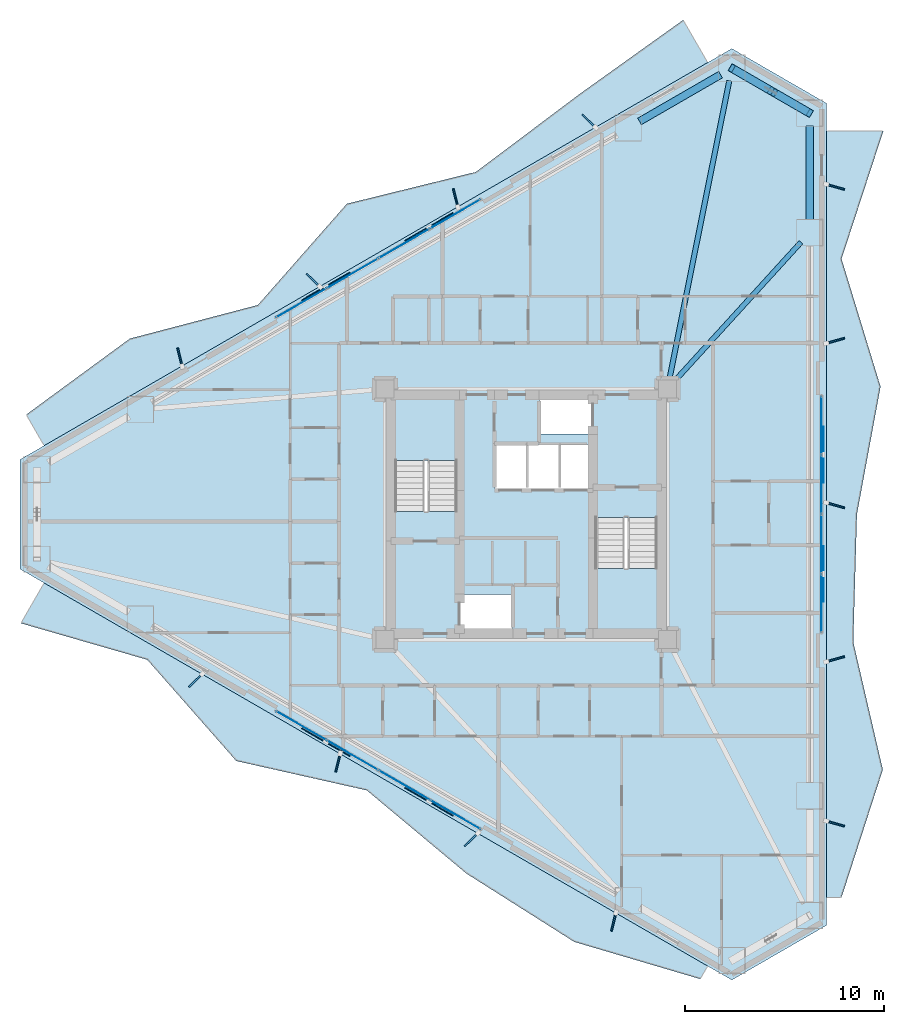
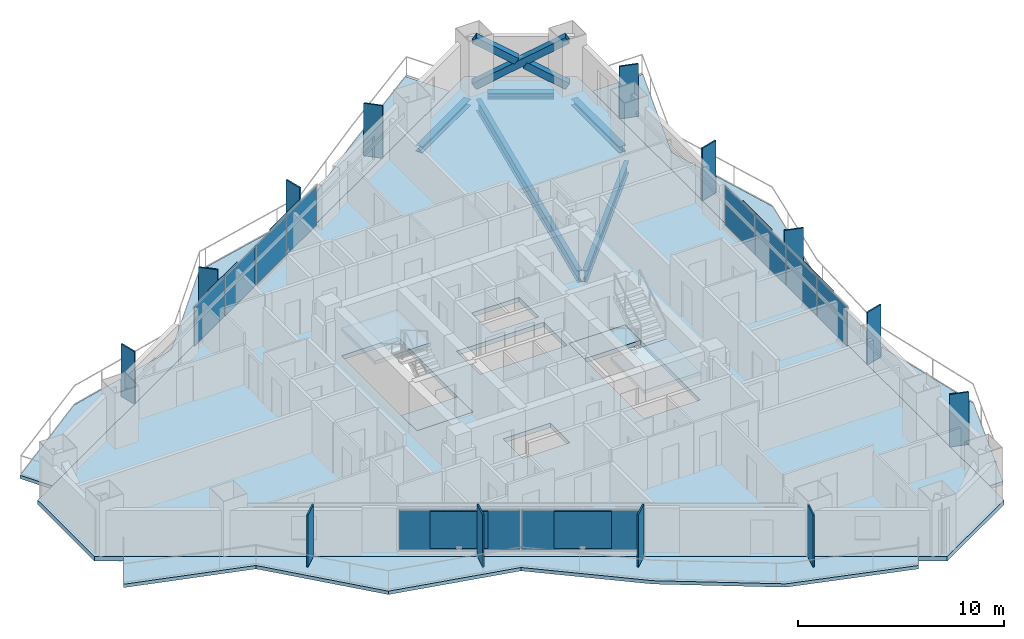
# One storey, part 10 of 18: 31 plates, 8 slabs, 5 beams, 3 members, 5 elements without a shape of their own.
"""IFC4 building model written with IfcOpenShell, lengths in metres."""

from ifc_helpers import new_model, si_unit, direction, frame, origin, origin_2d, place, context, subcontext, project, spatial, polyline, rectangle, hollow_rectangle, i_section, outline, extrude, material, layer, layer_set, material_profile, profile_set, type_object, element, aggregate, save


model = new_model("IFC4")

# Units and contexts
model_context = context("Model", 3, precision=1e-05, world=origin(), true_north=direction((0.0, 1.0)))
body_context = subcontext(model_context, "Body", "Model", "MODEL_VIEW")
ifc_project = project(units=[si_unit("LENGTHUNIT", "METRE"), si_unit("AREAUNIT", "SQUARE_METRE"), si_unit("VOLUMEUNIT", "CUBIC_METRE"), si_unit("PLANEANGLEUNIT", "RADIAN"), si_unit("MASSUNIT", "GRAM", prefix="KILO")], contexts=[model_context])

# Site, building, storey
site_placement = place(None, origin())
site = spatial("IfcSite", under=ifc_project, at=site_placement, CompositionType="ELEMENT")
building_placement = place(site_placement, origin())
building = spatial("IfcBuilding", under=site, at=building_placement, Name="Mersakhor Tower and Convention Hall", CompositionType="ELEMENT")
storey_placement = place(building_placement, frame((0.0, 0.0, 58.800048828125)))
storey = spatial("IfcBuildingStorey", under=building, at=storey_placement, Name="L16", CompositionType="ELEMENT", Elevation=58.800048828125)

# Beams
ifc_material_1 = material(Name="Steel S355", Category="steel")
ifc_material_profile_1 = material_profile(ifc_material_1, i_section(OverallWidth=0.25439453125, OverallDepth=0.6875, WebThickness=0.01318359375, FlangeThickness=0.02099609375, at=origin_2d()), Name="UB 686x254x152")
ifc_profile_set_1 = profile_set([ifc_material_profile_1], Name="Steel S355")
beam_type_1 = type_object("IfcBeamType", Name="BM-PR-686", PredefinedType="BEAM", material=ifc_profile_set_1)
beam_1_placement = place(storey_placement, frame((36.1845703125, 33.4716796875, -0.603759765625), z_axis=(0.196849718138, 0.980433673672, 0.0), x_axis=(-0.980433673672, 0.196849718138, 0.0)))
element("IfcBeam", 1, at=beam_1_placement, inside=storey, type_object=beam_type_1, Name="L16 Primary Floor Girder FG-2", PredefinedType="BEAM", context=body_context, shape_type="SweptSolid", body=[
    extrude(i_section(OverallWidth=0.25439453125, OverallDepth=0.6875, WebThickness=0.01318359375, FlangeThickness=0.02099609375, at=origin_2d()), origin(), (0.0, 0.0, 1.0), 15.359130859375),
])
beam_2_placement = place(storey_placement, frame((36.389404296875, 33.367919921875, -0.603759765625), z_axis=(0.67316322447, 0.739493930483, 0.0), x_axis=(-0.739493930483, 0.67316322447, 0.0)))
element("IfcBeam", 2, at=beam_2_placement, inside=storey, type_object=beam_type_1, Name="L16 Primary Floor Girder FG-3", PredefinedType="BEAM", context=body_context, shape_type="SweptSolid", body=[
    extrude(i_section(OverallWidth=0.25439453125, OverallDepth=0.6875, WebThickness=0.01318359375, FlangeThickness=0.02099609375, at=origin_2d()), origin(), (0.0, 0.0, 1.0), 9.53662109375),
])
ifc_material_2 = material(Name="Steel S355", Category="steel")
ifc_material_profile_2 = material_profile(ifc_material_2, i_section(OverallWidth=0.374755859375, OverallDepth=0.37451171875, WebThickness=0.0166015625, FlangeThickness=0.027099609375, at=origin_2d()), Name="UC 356x368x202")
ifc_profile_set_2 = profile_set([ifc_material_profile_2], Name="Steel S355")
beam_type_2 = type_object("IfcBeamType", Name="BM-SPD-UC356", PredefinedType="SPANDREL", material=ifc_profile_set_2)
beam_3_placement = place(storey_placement, frame((34.700439453125, 46.49560546875, -0.447265625), z_axis=(0.866031574723, 0.499989311469, 0.0), x_axis=(-0.499989311469, 0.866031574723, 0.0)))
element("IfcBeam", 3, at=beam_3_placement, inside=storey, type_object=beam_type_2, Name="L16 Perimeter Spandrel Beam SPB-03", PredefinedType="SPANDREL", context=body_context, shape_type="SweptSolid", body=[
    extrude(i_section(OverallWidth=0.374755859375, OverallDepth=0.37451171875, WebThickness=0.0166015625, FlangeThickness=0.027099609375, at=origin_2d()), origin(), (0.0, 0.0, 1.0), 4.69873046875),
])
beam_4_placement = place(storey_placement, frame((39.904052734375, 48.844970703125, -0.447265625), z_axis=(0.866038607556, -0.4999771297, 0.0), x_axis=(0.4999771297, 0.866038607556, 0.0)))
element("IfcBeam", 4, at=beam_4_placement, inside=storey, type_object=beam_type_2, Name="L16 Perimeter Spandrel Beam SPB-04", PredefinedType="SPANDREL", context=body_context, shape_type="SweptSolid", body=[
    extrude(i_section(OverallWidth=0.374755859375, OverallDepth=0.37451171875, WebThickness=0.0166015625, FlangeThickness=0.027099609375, at=origin_2d()), origin(), (0.0, 0.0, 1.0), 3.208740234375),
])
beam_5_placement = place(storey_placement, frame((43.25, 46.25830078125, -0.447265625), z_axis=(0.0, -1.0, 0.0), x_axis=(1.0, 0.0, 0.0)))
element("IfcBeam", 5, at=beam_5_placement, inside=storey, type_object=beam_type_2, Name="L16 Perimeter Spandrel Beam SPB-05", PredefinedType="SPANDREL", context=body_context, shape_type="SweptSolid", body=[
    extrude(i_section(OverallWidth=0.374755859375, OverallDepth=0.37451171875, WebThickness=0.0166015625, FlangeThickness=0.027099609375, at=origin_2d()), origin(), (0.0, 0.0, 1.0), 4.69873046875),
])

# Members
ifc_material_3 = material(Name="Steel S460", Category="steel")
ifc_material_profile_3 = material_profile(ifc_material_3, hollow_rectangle(XDim=0.39990234375, YDim=0.39990234375, WallThickness=0.02490234375, at=origin_2d()), Name="SHS 400x400x25")
ifc_profile_set_3 = profile_set([ifc_material_profile_3], Name="Steel S460")
member_type = type_object("IfcMemberType", Name="MB-BRC-SHS400", PredefinedType="BRACE", material=ifc_profile_set_3)
member_placement = place(storey_placement, frame((39.3369140625, 49.172607421875, 0.14990234375), z_axis=(0.741961358643, -0.4283822319, 0.515734433282), x_axis=(0.500009315796, 0.86602002524, 0.0)))
element("IfcMember", 6, at=member_placement, inside=storey, type_object=member_type, Name="L16 Chamfer Braced Frame Diagonal CB-1A", PredefinedType="BRACE", context=body_context, shape_type="SweptSolid", body=[
    extrude(hollow_rectangle(XDim=0.39990234375, YDim=0.39990234375, WallThickness=0.02490234375, at=origin_2d()), origin(), (0.0, 0.0, 1.0), 5.27392578125),
])
for number, where, z_axis, x_axis, name in (
    (7, (43.25, 46.913330078125, 0.14990234375), (-0.741975071593, 0.428297031877, 0.515785464723), (-0.499927796446, -0.866067086513, 0.0), "L16 Chamfer Braced Frame Diagonal CB-1B Lower Half"),
    (8, (41.11962890625, 48.143310546875, 1.630859375), (-0.741981660123, 0.428402448518, 0.515688431269), (-0.500016752221, -0.866015731669, 0.0), "L16 Chamfer Braced Frame Diagonal CB-1B Upper Half"),
):
    element("IfcMember", number, at=place(storey_placement, frame(where, z_axis=z_axis, x_axis=x_axis)), inside=storey, type_object=member_type, Name=name, PredefinedType="BRACE", context=body_context, shape_type="SweptSolid", body=[
        extrude(hollow_rectangle(XDim=0.39990234375, YDim=0.39990234375, WallThickness=0.02490234375, at=origin_2d()), origin(), (0.0, 0.0, 1.0), 2.402587890625),
    ])

# Curtain wall, plates
ifc_material_4 = material(Name="Dark solar low-E aluminium curtain wall", Category="aluminium")
ifc_layer_1 = layer(ifc_material_4, 0.159912109375)
ifc_layer_set_1 = layer_set([ifc_layer_1], Name="Dark solar low-E aluminium curtain wall")
curtain_wall_type = type_object("IfcCurtainWallType", Name="CW-SYS-01", PredefinedType="USERDEFINED", material=ifc_layer_set_1)
curtain_wall_1_placement = place(storey_placement, origin())
curtain_wall_1 = element("IfcCurtainWall", 9, at=curtain_wall_1_placement, inside=storey, type_object=curtain_wall_type, Name="L16 Dark-Glass Curtain Wall F1-B2", ObjectType="CURTAIN WALL", PredefinedType="USERDEFINED")
ifc_material_5 = material(Name="Dark solar double glazing", Category="glass")
ifc_layer_2 = layer(ifc_material_5, 0.02392578125)
ifc_layer_set_2 = layer_set([ifc_layer_2], Name="Dark solar double glazing")
plate_type_1 = type_object("IfcPlateType", Name="CWP-GLZ-24", PredefinedType="CURTAIN_PANEL", material=ifc_layer_set_2)
plate_1_placement = place(storey_placement, frame((17.702880859375, 37.375, 0.259765625), z_axis=(0.0, 0.0, 1.0), x_axis=(0.866023412558, 0.50000344889, 0.0)))
plate_1 = element("IfcPlate", 10, at=plate_1_placement, type_object=plate_type_1, Name="CW-01 panel 1.1", PredefinedType="CURTAIN_PANEL", context=body_context, shape_type="SweptSolid", body=[
    extrude(rectangle(XDim=2.880859375, YDim=0.02392578125, at=origin_2d()), origin(), (0.0, 0.0, 1.0), 2.320068359375),
])
plate_2_placement = place(storey_placement, frame((20.27880859375, 38.862060546875, 0.259765625), z_axis=(0.0, 0.0, 1.0), x_axis=(0.866023412558, 0.50000344889, 0.0)))
plate_2 = element("IfcPlate", 11, at=plate_2_placement, type_object=plate_type_1, Name="CW-01 panel 2.1", PredefinedType="CURTAIN_PANEL", context=body_context, shape_type="SweptSolid", body=[
    extrude(rectangle(XDim=2.918212890625, YDim=0.02392578125, at=origin_2d()), origin(), (0.0, 0.0, 1.0), 2.320068359375),
])
plate_3_placement = place(storey_placement, frame((22.87109375, 40.35888671875, 0.259765625), z_axis=(0.0, 0.0, 1.0), x_axis=(0.866023412558, 0.50000344889, 0.0)))
plate_3 = element("IfcPlate", 12, at=plate_3_placement, type_object=plate_type_1, Name="CW-01 panel 3.1", PredefinedType="CURTAIN_PANEL", context=body_context, shape_type="SweptSolid", body=[
    extrude(rectangle(XDim=2.918212890625, YDim=0.02392578125, at=origin_2d()), origin(), (0.0, 0.0, 1.0), 2.320068359375),
])
plate_4_placement = place(storey_placement, frame((25.447021484375, 41.84619140625, 0.259765625), z_axis=(0.0, 0.0, 1.0), x_axis=(0.866023412558, 0.50000344889, 0.0)))
plate_4 = element("IfcPlate", 13, at=plate_4_placement, type_object=plate_type_1, Name="CW-01 panel 4.1", PredefinedType="CURTAIN_PANEL", context=body_context, shape_type="SweptSolid", body=[
    extrude(rectangle(XDim=2.880859375, YDim=0.02392578125, at=origin_2d()), origin(), (0.0, 0.0, 1.0), 2.320068359375),
])
aggregate(curtain_wall_1, [plate_1, plate_2, plate_3, plate_4])

curtain_wall_2_placement = place(storey_placement, origin())
curtain_wall_2 = element("IfcCurtainWall", 14, at=curtain_wall_2_placement, inside=storey, type_object=curtain_wall_type, Name="L16 Dark-Glass Curtain Wall F2-B2", ObjectType="CURTAIN WALL", PredefinedType="USERDEFINED")
plate_5_placement = place(storey_placement, frame((43.85009765625, 31.22119140625, 0.259765625), z_axis=(0.0, 0.0, 1.0), x_axis=(0.0, -1.0, 0.0)))
plate_5 = element("IfcPlate", 15, at=plate_5_placement, type_object=plate_type_1, Name="CW-01 panel 1.1", PredefinedType="CURTAIN_PANEL", context=body_context, shape_type="SweptSolid", body=[
    extrude(rectangle(XDim=2.880859375, YDim=0.02392578125, at=origin_2d()), origin(), (0.0, 0.0, 1.0), 2.320068359375),
])
plate_6_placement = place(storey_placement, frame((43.85009765625, 28.24658203125, 0.259765625), z_axis=(0.0, 0.0, 1.0), x_axis=(0.0, -1.0, 0.0)))
plate_6 = element("IfcPlate", 16, at=plate_6_placement, type_object=plate_type_1, Name="CW-01 panel 2.1", PredefinedType="CURTAIN_PANEL", context=body_context, shape_type="SweptSolid", body=[
    extrude(rectangle(XDim=2.918212890625, YDim=0.02392578125, at=origin_2d()), origin(), (0.0, 0.0, 1.0), 2.320068359375),
])
plate_7_placement = place(storey_placement, frame((43.85009765625, 25.25341796875, 0.259765625), z_axis=(0.0, 0.0, 1.0), x_axis=(0.0, -1.0, 0.0)))
plate_7 = element("IfcPlate", 17, at=plate_7_placement, type_object=plate_type_1, Name="CW-01 panel 3.1", PredefinedType="CURTAIN_PANEL", context=body_context, shape_type="SweptSolid", body=[
    extrude(rectangle(XDim=2.918212890625, YDim=0.02392578125, at=origin_2d()), origin(), (0.0, 0.0, 1.0), 2.320068359375),
])
plate_8_placement = place(storey_placement, frame((43.85009765625, 22.27880859375, 0.259765625), z_axis=(0.0, 0.0, 1.0), x_axis=(0.0, -1.0, 0.0)))
plate_8 = element("IfcPlate", 18, at=plate_8_placement, type_object=plate_type_1, Name="CW-01 panel 4.1", PredefinedType="CURTAIN_PANEL", context=body_context, shape_type="SweptSolid", body=[
    extrude(rectangle(XDim=2.880859375, YDim=0.02392578125, at=origin_2d()), origin(), (0.0, 0.0, 1.0), 2.320068359375),
])
aggregate(curtain_wall_2, [plate_5, plate_6, plate_7, plate_8])

curtain_wall_3_placement = place(storey_placement, origin())
curtain_wall_3 = element("IfcCurtainWall", 19, at=curtain_wall_3_placement, inside=storey, type_object=curtain_wall_type, Name="L16 Dark-Glass Curtain Wall F3-B2", ObjectType="CURTAIN WALL", PredefinedType="USERDEFINED")
plate_9_placement = place(storey_placement, frame((25.447021484375, 11.65380859375, 0.259765625), z_axis=(0.0, 0.0, 1.0), x_axis=(-0.866023412558, 0.50000344889, 0.0)))
plate_9 = element("IfcPlate", 20, at=plate_9_placement, type_object=plate_type_1, Name="CW-01 panel 1.1", PredefinedType="CURTAIN_PANEL", context=body_context, shape_type="SweptSolid", body=[
    extrude(rectangle(XDim=2.880859375, YDim=0.02392578125, at=origin_2d()), origin(), (0.0, 0.0, 1.0), 2.320068359375),
])
plate_10_placement = place(storey_placement, frame((22.87109375, 13.14111328125, 0.259765625), z_axis=(0.0, 0.0, 1.0), x_axis=(-0.866023412558, 0.50000344889, 0.0)))
plate_10 = element("IfcPlate", 21, at=plate_10_placement, type_object=plate_type_1, Name="CW-01 panel 2.1", PredefinedType="CURTAIN_PANEL", context=body_context, shape_type="SweptSolid", body=[
    extrude(rectangle(XDim=2.918212890625, YDim=0.02392578125, at=origin_2d()), origin(), (0.0, 0.0, 1.0), 2.320068359375),
])
plate_11_placement = place(storey_placement, frame((20.27880859375, 14.637939453125, 0.259765625), z_axis=(0.0, 0.0, 1.0), x_axis=(-0.866023412558, 0.50000344889, 0.0)))
plate_11 = element("IfcPlate", 22, at=plate_11_placement, type_object=plate_type_1, Name="CW-01 panel 3.1", PredefinedType="CURTAIN_PANEL", context=body_context, shape_type="SweptSolid", body=[
    extrude(rectangle(XDim=2.918212890625, YDim=0.02392578125, at=origin_2d()), origin(), (0.0, 0.0, 1.0), 2.320068359375),
])
plate_12_placement = place(storey_placement, frame((17.702880859375, 16.125, 0.259765625), z_axis=(0.0, 0.0, 1.0), x_axis=(-0.866023412558, 0.50000344889, 0.0)))
plate_12 = element("IfcPlate", 23, at=plate_12_placement, type_object=plate_type_1, Name="CW-01 panel 4.1", PredefinedType="CURTAIN_PANEL", context=body_context, shape_type="SweptSolid", body=[
    extrude(rectangle(XDim=2.880859375, YDim=0.02392578125, at=origin_2d()), origin(), (0.0, 0.0, 1.0), 2.320068359375),
])
aggregate(curtain_wall_3, [plate_9, plate_10, plate_11, plate_12])

# Plates
ifc_material_6 = material(Name="Ceramic-clad aluminium Zone 1 cobalt-slate", Category="masonry")
ifc_material_7 = material(Name="Ceramic-clad aluminium Zone 1 cobalt-slate", Category="masonry")
ifc_layer_3 = layer(ifc_material_7, 0.080078125)
ifc_layer_set_3 = layer_set([ifc_layer_3], Name="Ceramic-clad aluminium Zone 1 cobalt-slate")
plate_type_2 = type_object("IfcPlateType", Name="PL-FIN-80", PredefinedType="USERDEFINED", material=ifc_layer_set_3)
for number, where, z_axis, x_axis, name in (
    (24, (11.598876953125, 34.6435546875, 0.0), (0.0, 0.0, 1.0), (-0.2419218956, 0.970295726276, 0.0), "L16 Zone 1 Coloured Brise-Soleil Fin F1-1"),
    (25, (18.30029296875, 38.5126953125, 0.0), (0.0, 0.0, 1.0), (-0.719339800339, 0.694658370459, 0.0), "L16 Zone 1 Coloured Brise-Soleil Fin F1-2"),
    (26, (25.455078125, 42.6435546875, 0.0), (0.0, 0.0, 1.0), (-0.2419218956, 0.970295726276, 0.0), "L16 Zone 1 Coloured Brise-Soleil Fin F1-3"),
    (27, (32.15673828125, 46.5126953125, 0.0), (0.0, 0.0, 1.0), (-0.719339800339, 0.694658370459, 0.0), "L16 Zone 1 Coloured Brise-Soleil Fin F1-4"),
    (28, (44.53662109375, 43.206298828125, 0.0), (0.0, 0.0, 1.0), (0.961261695938, -0.275637355817, 0.0), "L16 Zone 1 Coloured Brise-Soleil Fin F2-1"),
    (29, (44.53662109375, 35.46826171875, 0.0), (0.0, 0.0, 1.0), (0.961261695938, 0.275637355817, 0.0), "L16 Zone 1 Coloured Brise-Soleil Fin F2-2"),
    (30, (44.53662109375, 27.206298828125, 0.0), (0.0, 0.0, 1.0), (0.961261695938, -0.275637355817, 0.0), "L16 Zone 1 Coloured Brise-Soleil Fin F2-3"),
    (31, (44.53662109375, 19.46826171875, 0.0), (0.0, 0.0, 1.0), (0.961261695938, 0.275637355817, 0.0), "L16 Zone 1 Coloured Brise-Soleil Fin F2-4"),
    (32, (44.53662109375, 11.206298828125, 0.0), (0.0, 0.0, 1.0), (0.961261695938, -0.275637355817, 0.0), "L16 Zone 1 Coloured Brise-Soleil Fin F2-5"),
    (33, (33.400634765625, 6.26904296875, 0.0), (0.0, 0.0, 1.0), (-0.2419218956, -0.970295726276, 0.0), "L16 Zone 1 Coloured Brise-Soleil Fin F3-1"),
    (34, (26.245849609375, 10.39990234375, 0.0), (0.0, 0.0, 1.0), (-0.719339800339, -0.694658370459, 0.0), "L16 Zone 1 Coloured Brise-Soleil Fin F3-2"),
    (35, (19.544189453125, 14.26904296875, 0.0), (0.0, 0.0, 1.0), (-0.2419218956, -0.970295726276, 0.0), "L16 Zone 1 Coloured Brise-Soleil Fin F3-3"),
    (36, (12.389404296875, 18.39990234375, 0.0), (0.0, 0.0, 1.0), (-0.719339800339, -0.694658370459, 0.0), "L16 Zone 1 Coloured Brise-Soleil Fin F3-4"),
):
    element("IfcPlate", number, at=place(storey_placement, frame(where, z_axis=z_axis, x_axis=x_axis)), inside=storey, type_object=plate_type_2, material=ifc_material_6, Name=name, ObjectType="FIN", PredefinedType="USERDEFINED", context=body_context, shape_type="SweptSolid", body=[
        extrude(rectangle(XDim=0.949951171875, YDim=0.080078125, at=origin_2d()), origin(), (0.0, 0.0, 1.0), 3.10009765625),
    ])
ifc_material_8 = material(Name="Perforated ceramic cobogo solar screen", Category="aluminium")
ifc_layer_4 = layer(ifc_material_8, 0.048095703125)
ifc_layer_set_4 = layer_set([ifc_layer_4], Name="Perforated ceramic cobogo solar screen")
plate_type_3 = type_object("IfcPlateType", Name="PL-SCR-48", PredefinedType="USERDEFINED", material=ifc_layer_set_4)
for number, where, z_axis, x_axis, name in (
    (37, (18.935791015625, 38.1953125, 0.39990234375), (0.0, 0.0, 1.0), (0.866025403784, 0.5, 0.0), "L16 Perforated Ceramic Solar Screen F1-1"),
    (38, (24.120361328125, 41.1884765625, 0.39990234375), (0.0, 0.0, 1.0), (0.866025403784, 0.5, 0.0), "L16 Perforated Ceramic Solar Screen F1-2"),
    (39, (43.944091796875, 29.743408203125, 0.39990234375), (0.0, 0.0, 1.0), (0.0, -1.0, 0.0), "L16 Perforated Ceramic Solar Screen F2-1"),
    (40, (43.944091796875, 23.756591796875, 0.39990234375), (0.0, 0.0, 1.0), (0.0, -1.0, 0.0), "L16 Perforated Ceramic Solar Screen F2-2"),
    (41, (24.1201171875, 12.311279296875, 0.39990234375), (0.0, 0.0, 1.0), (-0.866025403784, 0.5, 0.0), "L16 Perforated Ceramic Solar Screen F3-1"),
    (42, (18.935791015625, 15.3046875, 0.39990234375), (0.0, 0.0, 1.0), (-0.866025403784, 0.5, 0.0), "L16 Perforated Ceramic Solar Screen F3-2"),
):
    element("IfcPlate", number, at=place(storey_placement, frame(where, z_axis=z_axis, x_axis=x_axis)), inside=storey, type_object=plate_type_3, Name=name, ObjectType="SCREEN", PredefinedType="USERDEFINED", context=body_context, shape_type="SweptSolid", body=[
        extrude(rectangle(XDim=2.800048828125, YDim=0.048095703125, at=origin_2d()), origin(), (0.0, 0.0, 1.0), 2.18994140625),
    ])

# Slabs
ifc_material_9 = material(Name="Concrete C45/55", Category="concrete")
ifc_layer_5 = layer(ifc_material_9, 0.199951171875)
ifc_layer_set_5 = layer_set([ifc_layer_5], Name="Concrete C45/55")
slab_type_1 = type_object("IfcSlabType", Name="SL-BAL-200", PredefinedType="FLOOR", material=ifc_layer_set_5)
slab_1_placement = place(storey_placement, frame((0.0, 0.0, -0.199951171875)))
element("IfcSlab", 43, at=slab_1_placement, inside=storey, type_object=slab_type_1, Name="L16 Sinusoidal Balcony Slab Face 1", PredefinedType="FLOOR", context=body_context, shape_type="SweptSolid", body=[
    extrude(outline(polyline([(4.775390625, 30.199951171875), (38.12451171875, 49.4541015625), (36.889892578125, 51.59228515625), (31.64501953125, 47.8408203125), (26.4775390625, 43.955078125), (19.989990234375, 42.355712890625), (15.516845703125, 37.267578125), (9.08154296875, 35.577880859375), (3.87548828125, 31.7587890625), (4.775390625, 30.199951171875)])), origin(), (0.0, 0.0, 1.0), 0.199951171875),
])
slab_2_placement = place(storey_placement, frame((0.0, 0.0, -0.199951171875)))
element("IfcSlab", 44, at=slab_2_placement, inside=storey, type_object=slab_type_1, Name="L16 Sinusoidal Balcony Slab Face 2", PredefinedType="FLOOR", context=body_context, shape_type="SweptSolid", body=[
    extrude(outline(polyline([(44.10009765625, 46.00390625), (44.10009765625, 7.49609375), (44.85009765625, 7.49609375), (46.92578125, 13.9140625), (45.439208984375, 20.33203125), (45.623291015625, 26.75), (46.810546875, 33.16796875), (44.85009765625, 39.5859375), (46.947998046875, 46.00390625), (44.10009765625, 46.00390625)])), origin(), (0.0, 0.0, 1.0), 0.199951171875),
])
slab_3_placement = place(storey_placement, frame((0.0, 0.0, -0.199951171875)))
element("IfcSlab", 45, at=slab_3_placement, inside=storey, type_object=slab_type_1, Name="L16 Sinusoidal Balcony Slab Face 3", PredefinedType="FLOOR", context=body_context, shape_type="SweptSolid", body=[
    extrude(outline(polyline([(38.12451171875, 4.0458984375), (4.775390625, 23.300048828125), (3.606201171875, 21.274658203125), (9.958740234375, 19.44140625), (14.431884765625, 14.353271484375), (20.990966796875, 12.877685546875), (25.99072265625, 8.701904296875), (31.416259765625, 5.26318359375), (37.748291015625, 3.394775390625), (38.12451171875, 4.0458984375)])), origin(), (0.0, 0.0, 1.0), 0.199951171875),
])
ifc_material_10 = material(Name="Concrete C45/55", Category="concrete")
ifc_layer_6 = layer(ifc_material_10, 0.260009765625)
ifc_layer_set_6 = layer_set([ifc_layer_6], Name="Concrete C45/55")
slab_type_2 = type_object("IfcSlabType", Name="SL-FLR-260", PredefinedType="FLOOR", material=ifc_layer_set_6)
slab_4_placement = place(storey_placement, frame((0.0, 0.0, -0.260009765625)))
element("IfcSlab", 46, at=slab_4_placement, inside=storey, type_object=slab_type_2, Name="L16 ST-1 Structural Stair Floor Landing", PredefinedType="LANDING", context=body_context, shape_type="SweptSolid", body=[
    extrude(outline(polyline([(25.550048828125, 25.39990234375), (25.550048828125, 26.89990234375), (22.39990234375, 26.89990234375), (22.39990234375, 25.39990234375), (25.550048828125, 25.39990234375)])), origin(), (0.0, 0.0, 1.0), 0.260009765625),
])
slab_5_placement = place(storey_placement, frame((0.0, 0.0, -0.260009765625)))
element("IfcSlab", 47, at=slab_5_placement, inside=storey, type_object=slab_type_2, Name="L16 ST-2 Structural Stair Floor Landing", PredefinedType="LANDING", context=body_context, shape_type="SweptSolid", body=[
    extrude(outline(polyline([(32.449951171875, 28.10009765625), (32.449951171875, 26.60009765625), (35.60009765625, 26.60009765625), (35.60009765625, 28.10009765625), (32.449951171875, 28.10009765625)])), origin(), (0.0, 0.0, 1.0), 0.260009765625),
])
slab_6_placement = place(storey_placement, frame((0.0, 0.0, -0.260009765625)))
element("IfcSlab", 48, at=slab_6_placement, inside=storey, type_object=slab_type_2, Name="Tower L16 Structural Floor Slab", PredefinedType="FLOOR", context=body_context, shape_type="SweptSolid", body=[
    extrude(outline(polyline([(3.56298828125, 29.5), (39.3369140625, 50.154052734375), (44.10009765625, 47.404052734375), (44.10009765625, 6.095947265625), (39.3369140625, 3.345947265625), (3.56298828125, 24.0), (3.56298828125, 29.5)]), holes=[polyline([(25.550048828125, 25.39990234375), (25.550048828125, 32.699951171875), (22.39990234375, 32.699951171875), (22.39990234375, 25.39990234375), (25.550048828125, 25.39990234375)]), polyline([(32.449951171875, 28.10009765625), (32.449951171875, 20.800048828125), (35.60009765625, 20.800048828125), (35.60009765625, 28.10009765625), (32.449951171875, 28.10009765625)]), polyline([(25.679931640625, 20.820068359375), (25.679931640625, 22.719970703125), (28.320068359375, 22.719970703125), (28.320068359375, 20.820068359375), (25.679931640625, 20.820068359375)]), polyline([(29.679931640625, 30.780029296875), (29.679931640625, 32.679931640625), (32.320068359375, 32.679931640625), (32.320068359375, 30.780029296875), (29.679931640625, 30.780029296875)]), polyline([(27.429931640625, 28.0), (27.429931640625, 30.25), (32.320068359375, 30.25), (32.320068359375, 28.0), (27.429931640625, 28.0)])]), origin(), (0.0, 0.0, 1.0), 0.260009765625),
])

# Stair, slab
ifc_material_11 = material(Name="Concrete C45/55", Category="concrete")
stair_type = type_object("IfcStairType", Name="ST-TWR-20R", PredefinedType="HALF_TURN_STAIR", material=ifc_material_11)
stair_1_placement = place(storey_placement, origin())
stair_1 = element("IfcStair", 49, at=stair_1_placement, inside=storey, type_object=stair_type, Name="L16 Tower Protected Exit Stair ST-1", PredefinedType="HALF_TURN_STAIR")
ifc_material_12 = material(Name="Concrete C45/55", Category="concrete")
ifc_layer_7 = layer(ifc_material_12, 0.199951171875)
ifc_layer_set_7 = layer_set([ifc_layer_7], Name="Concrete C45/55")
slab_type_3 = type_object("IfcSlabType", Name="SL-LAND-200", PredefinedType="LANDING", material=ifc_layer_set_7)
slab_7_placement = place(storey_placement, frame((0.0, 0.0, 1.449951171875)))
slab_7 = element("IfcSlab", 50, at=slab_7_placement, type_object=slab_type_3, Name="ST-1 landing 1", PredefinedType="LANDING", context=body_context, shape_type="SweptSolid", body=[
    extrude(outline(polyline([(25.550048828125, 29.465087890625), (25.550048828125, 32.699951171875), (22.39990234375, 32.699951171875), (22.39990234375, 29.465087890625), (25.550048828125, 29.465087890625)])), origin(), (0.0, 0.0, 1.0), 0.199951171875),
])
aggregate(stair_1, [slab_7])

stair_2_placement = place(storey_placement, origin())
stair_2 = element("IfcStair", 51, at=stair_2_placement, inside=storey, type_object=stair_type, Name="L16 Tower Protected Exit Stair ST-2", PredefinedType="HALF_TURN_STAIR")
slab_8_placement = place(storey_placement, frame((0.0, 0.0, 1.449951171875)))
slab_8 = element("IfcSlab", 52, at=slab_8_placement, type_object=slab_type_3, Name="ST-2 landing 1", PredefinedType="LANDING", context=body_context, shape_type="SweptSolid", body=[
    extrude(outline(polyline([(32.449951171875, 24.034912109375), (32.449951171875, 20.800048828125), (35.60009765625, 20.800048828125), (35.60009765625, 24.034912109375), (32.449951171875, 24.034912109375)])), origin(), (0.0, 0.0, 1.0), 0.199951171875),
])
aggregate(stair_2, [slab_8])

save(model, "model.ifc")
